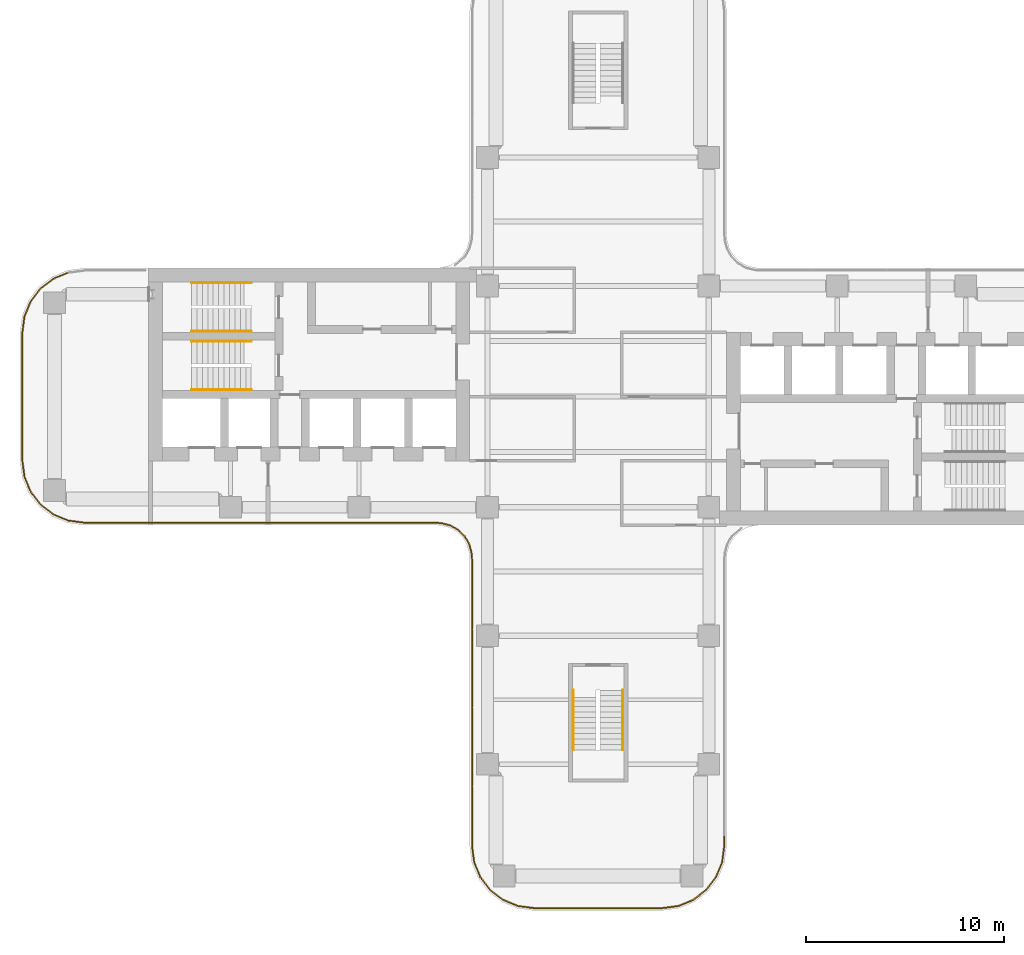
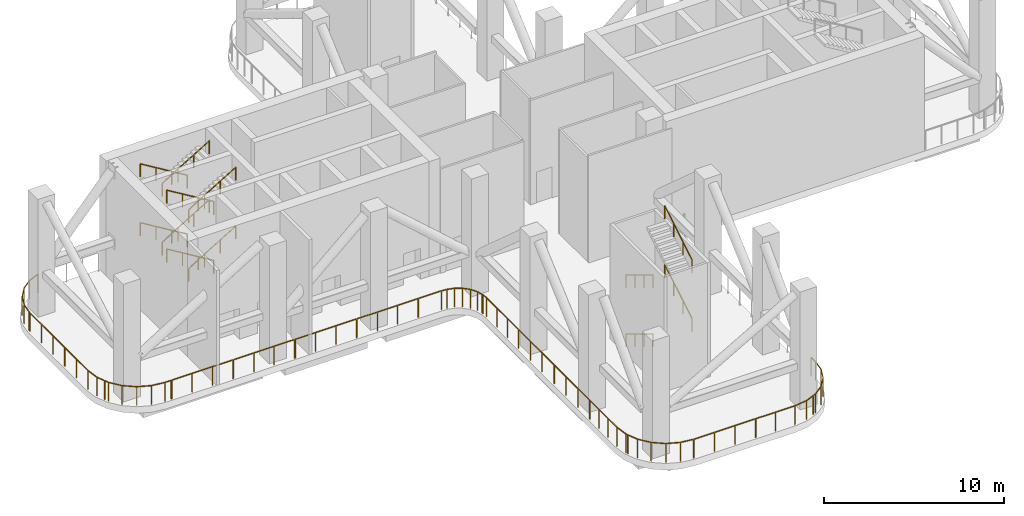
# One storey, part 9 of 11: 29 railings.
"""IFC4 building model written with IfcOpenShell, lengths in metres."""

from ifc_helpers import new_model, si_unit, direction, frame, origin, origin_2d, place, context, subcontext, project, spatial, rectangle, circle, extrude, source, transform, mapped, material, type_object, element, save


model = new_model("IFC4")

# Units and contexts
model_context = context("Model", 3, precision=1e-05, world=origin(), true_north=direction((0.0, 1.0)))
body_context = subcontext(model_context, "Body", "Model", "MODEL_VIEW")
ifc_project = project(units=[si_unit("LENGTHUNIT", "METRE"), si_unit("AREAUNIT", "SQUARE_METRE"), si_unit("VOLUMEUNIT", "CUBIC_METRE"), si_unit("PLANEANGLEUNIT", "RADIAN"), si_unit("MASSUNIT", "GRAM", prefix="KILO")], contexts=[model_context])

# Site, building, storey
site_placement = place(None, origin())
site = spatial("IfcSite", under=ifc_project, at=site_placement, CompositionType="ELEMENT")
building_placement = place(site_placement, origin())
building = spatial("IfcBuilding", under=site, at=building_placement, Name="Trellis Farm Tower", CompositionType="ELEMENT")
storey_placement = place(building_placement, frame((0.0, 0.0, 212.699951171875)))
storey = spatial("IfcBuildingStorey", under=building, at=storey_placement, Name="L47", CompositionType="ELEMENT", Elevation=212.699951171875)

# Railings
ifc_material_1 = material(Name="Stainless steel 316", Category="steel")
railing_type_1 = type_object("IfcRailingType", Name="BALUSTRADE GUARD 1300", PredefinedType="GUARDRAIL", material=ifc_material_1)
railing_1_placement = place(storey_placement, frame((6.3798828125, -22.2666015625, 0.0)))
element("IfcRailing", 1, at=railing_1_placement, inside=storey, type_object=railing_type_1, Name="GD3 EDGE-26", PredefinedType="GUARDRAIL", context=body_context, shape_type="SweptSolid", body=[
    extrude(rectangle(XDim=0.050048828125, YDim=0.050048828125, at=origin_2d()), frame((0.0, 0.0, 1.27490234375), z_axis=(0.0, -1.0, 0.0), x_axis=(1.0, 0.0, 0.0)), (0.0, 0.0, 1.0), 0.4755859375),
    extrude(rectangle(XDim=0.050048828125, YDim=0.050048828125, at=origin_2d()), frame((0.0, -0.4755859375, 1.27490234375), z_axis=(-0.130554065513, -0.991441191387, 0.0), x_axis=(0.991441191387, -0.130554065513, 0.0)), (0.0, 0.0, 1.0), 0.82470703125),
    extrude(rectangle(XDim=0.050048828125, YDim=0.050048828125, at=origin_2d()), frame((-0.107666015625, -1.293212890625, 1.27490234375), z_axis=(-0.382598185958, -0.923914838122, 0.0), x_axis=(0.923914838122, -0.382598185958, 0.0)), (0.0, 0.0, 1.0), 0.81689453125),
    extrude(rectangle(XDim=0.050048828125, YDim=0.050048828125, at=origin_2d()), frame((-0.420166015625, -2.0478515625, 1.27490234375), z_axis=(-0.608858156099, -0.793279109615, 0.0), x_axis=(0.793279109615, -0.608858156099, 0.0)), (0.0, 0.0, 1.0), 0.81689453125),
    extrude(rectangle(XDim=0.050048828125, YDim=0.050048828125, at=origin_2d()), frame((-0.91748046875, -2.69580078125, 1.27490234375), z_axis=(-0.793279109615, -0.608858156099, 0.0), x_axis=(0.608858156099, -0.793279109615, 0.0)), (0.0, 0.0, 1.0), 0.81689453125),
    extrude(rectangle(XDim=0.050048828125, YDim=0.050048828125, at=origin_2d()), frame((-1.5654296875, -3.193115234375, 1.27490234375), z_axis=(-0.923948286543, -0.382517403257, 0.0), x_axis=(0.382517403257, -0.923948286543, 0.0)), (0.0, 0.0, 1.0), 0.173583984375),
    extrude(rectangle(XDim=0.0400390625, YDim=0.0400390625, at=origin_2d()), origin(), (0.0, 0.0, 1.0), 1.25),
    extrude(rectangle(XDim=0.0400390625, YDim=0.0400390625, at=origin_2d()), frame((0.0, -0.4755859375, 0.0)), (0.0, 0.0, 1.0), 1.25),
    extrude(rectangle(XDim=0.0400390625, YDim=0.0400390625, at=origin_2d()), frame((-0.107666015625, -1.293212890625, 0.0)), (0.0, 0.0, 1.0), 1.25),
    extrude(rectangle(XDim=0.0400390625, YDim=0.0400390625, at=origin_2d()), frame((-0.420166015625, -2.0478515625, 0.0)), (0.0, 0.0, 1.0), 1.25),
    extrude(rectangle(XDim=0.0400390625, YDim=0.0400390625, at=origin_2d()), frame((-0.91748046875, -2.69580078125, 0.0)), (0.0, 0.0, 1.0), 1.25),
    extrude(rectangle(XDim=0.0400390625, YDim=0.0400390625, at=origin_2d()), frame((-1.5654296875, -3.193115234375, 0.0)), (0.0, 0.0, 1.0), 1.25),
    extrude(rectangle(XDim=0.0400390625, YDim=0.0400390625, at=origin_2d()), frame((-1.725830078125, -3.259521484375, 0.0)), (0.0, 0.0, 1.0), 1.25),
])
railing_2_placement = place(storey_placement, frame((4.612548828125, -25.54345703125, 0.0)))
element("IfcRailing", 2, at=railing_2_placement, inside=storey, type_object=railing_type_1, Name="GD3 EDGE-27", PredefinedType="GUARDRAIL", context=body_context, shape_type="SweptSolid", body=[
    extrude(rectangle(XDim=0.050048828125, YDim=0.050048828125, at=origin_2d()), frame((0.0, 0.0, 1.27490234375), z_axis=(-0.923991970144, -0.382411871036, 0.0), x_axis=(0.382411871036, -0.923991970144, 0.0)), (0.0, 0.0, 1.0), 0.59814453125),
    extrude(rectangle(XDim=0.050048828125, YDim=0.050048828125, at=origin_2d()), frame((-0.552734375, -0.228759765625, 1.27490234375), z_axis=(-0.991441191387, -0.130554065513, 0.0), x_axis=(0.130554065513, -0.991441191387, 0.0)), (0.0, 0.0, 1.0), 0.82470703125),
    extrude(rectangle(XDim=0.050048828125, YDim=0.050048828125, at=origin_2d()), frame((-1.370361328125, -0.33642578125, 1.27490234375), z_axis=(-1.0, 0.0, 0.0), x_axis=(0.0, -1.0, 0.0)), (0.0, 0.0, 1.0), 2.50146484375),
    extrude(rectangle(XDim=0.0400390625, YDim=0.0400390625, at=origin_2d()), origin(), (0.0, 0.0, 1.0), 1.25),
    extrude(rectangle(XDim=0.0400390625, YDim=0.0400390625, at=origin_2d()), frame((-0.552734375, -0.228759765625, 0.0)), (0.0, 0.0, 1.0), 1.25),
    extrude(rectangle(XDim=0.0400390625, YDim=0.0400390625, at=origin_2d()), frame((-1.370361328125, -0.33642578125, 0.0)), (0.0, 0.0, 1.0), 1.25),
    extrude(rectangle(XDim=0.0400390625, YDim=0.0400390625, at=origin_2d()), frame((-2.62109375, -0.33642578125, 0.0)), (0.0, 0.0, 1.0), 1.25),
    extrude(rectangle(XDim=0.0400390625, YDim=0.0400390625, at=origin_2d()), frame((-3.871826171875, -0.33642578125, 0.0)), (0.0, 0.0, 1.0), 1.25),
])
railing_3_placement = place(storey_placement, frame((-3.273193359375, -25.8759765625, 0.0)))
element("IfcRailing", 3, at=railing_3_placement, inside=storey, type_object=railing_type_1, Name="GD3 EDGE-29", PredefinedType="GUARDRAIL", context=body_context, shape_type="SweptSolid", body=[
    extrude(rectangle(XDim=0.050048828125, YDim=0.050048828125, at=origin_2d()), frame((0.0, 0.0, 1.27490234375), z_axis=(-0.991412351853, 0.130772889366, 0.0), x_axis=(-0.130772889366, -0.991412351853, 0.0)), (0.0, 0.0, 1.0), 0.79345703125),
    extrude(rectangle(XDim=0.050048828125, YDim=0.050048828125, at=origin_2d()), frame((-0.78662109375, 0.103759765625, 1.27490234375), z_axis=(-0.923914838122, 0.382598185958, 0.0), x_axis=(-0.382598185958, -0.923914838122, 0.0)), (0.0, 0.0, 1.0), 0.81689453125),
    extrude(rectangle(XDim=0.050048828125, YDim=0.050048828125, at=origin_2d()), frame((-1.541259765625, 0.416259765625, 1.27490234375), z_axis=(-0.793279109615, 0.608858156099, 0.0), x_axis=(-0.608858156099, -0.793279109615, 0.0)), (0.0, 0.0, 1.0), 0.81689453125),
    extrude(rectangle(XDim=0.050048828125, YDim=0.050048828125, at=origin_2d()), frame((-2.189208984375, 0.91357421875, 1.27490234375), z_axis=(-0.608858156099, 0.793279109615, 0.0), x_axis=(-0.793279109615, -0.608858156099, 0.0)), (0.0, 0.0, 1.0), 0.81689453125),
    extrude(rectangle(XDim=0.050048828125, YDim=0.050048828125, at=origin_2d()), frame((-2.6865234375, 1.5615234375, 1.27490234375), z_axis=(-0.382805943759, 0.923828777113, 0.0), x_axis=(-0.923828777113, -0.382805943759, 0.0)), (0.0, 0.0, 1.0), 0.680419921875),
    extrude(rectangle(XDim=0.0400390625, YDim=0.0400390625, at=origin_2d()), origin(), (0.0, 0.0, 1.0), 1.25),
    extrude(rectangle(XDim=0.0400390625, YDim=0.0400390625, at=origin_2d()), frame((-0.78662109375, 0.103759765625, 0.0)), (0.0, 0.0, 1.0), 1.25),
    extrude(rectangle(XDim=0.0400390625, YDim=0.0400390625, at=origin_2d()), frame((-1.541259765625, 0.416259765625, 0.0)), (0.0, 0.0, 1.0), 1.25),
    extrude(rectangle(XDim=0.0400390625, YDim=0.0400390625, at=origin_2d()), frame((-2.189208984375, 0.91357421875, 0.0)), (0.0, 0.0, 1.0), 1.25),
    extrude(rectangle(XDim=0.0400390625, YDim=0.0400390625, at=origin_2d()), frame((-2.6865234375, 1.5615234375, 0.0)), (0.0, 0.0, 1.0), 1.25),
    extrude(rectangle(XDim=0.0400390625, YDim=0.0400390625, at=origin_2d()), frame((-2.947021484375, 2.190185546875, 0.0)), (0.0, 0.0, 1.0), 1.25),
])
railing_4_placement = place(storey_placement, frame((-6.2373046875, -23.644287109375, 0.0)))
element("IfcRailing", 4, at=railing_4_placement, inside=storey, type_object=railing_type_1, Name="GD3 EDGE-30", PredefinedType="GUARDRAIL", context=body_context, shape_type="SweptSolid", body=[
    extrude(rectangle(XDim=0.050048828125, YDim=0.050048828125, at=origin_2d()), frame((0.0, 0.0, 1.27490234375), z_axis=(-0.381958559492, 0.924179451638, 0.0), x_axis=(-0.924179451638, -0.381958559492, 0.0)), (0.0, 0.0, 1.0), 0.09130859375),
    extrude(rectangle(XDim=0.050048828125, YDim=0.050048828125, at=origin_2d()), frame((-0.034912109375, 0.08447265625, 1.27490234375), z_axis=(-0.130554065513, 0.991441191387, 0.0), x_axis=(-0.991441191387, -0.130554065513, 0.0)), (0.0, 0.0, 1.0), 0.82470703125),
    extrude(rectangle(XDim=0.050048828125, YDim=0.050048828125, at=origin_2d()), frame((-0.142578125, 0.902099609375, 1.27490234375), z_axis=(0.0, 1.0, 0.0), x_axis=(-1.0, 0.0, 0.0)), (0.0, 0.0, 1.0), 3.00830078125),
    extrude(rectangle(XDim=0.0400390625, YDim=0.0400390625, at=origin_2d()), origin(), (0.0, 0.0, 1.0), 1.25),
    extrude(rectangle(XDim=0.0400390625, YDim=0.0400390625, at=origin_2d()), frame((-0.034912109375, 0.08447265625, 0.0)), (0.0, 0.0, 1.0), 1.25),
    extrude(rectangle(XDim=0.0400390625, YDim=0.0400390625, at=origin_2d()), frame((-0.142578125, 0.902099609375, 0.0)), (0.0, 0.0, 1.0), 1.25),
    extrude(rectangle(XDim=0.0400390625, YDim=0.0400390625, at=origin_2d()), frame((-0.142578125, 1.90478515625, 0.0)), (0.0, 0.0, 1.0), 1.25),
    extrude(rectangle(XDim=0.0400390625, YDim=0.0400390625, at=origin_2d()), frame((-0.142578125, 2.90771484375, 0.0)), (0.0, 0.0, 1.0), 1.25),
    extrude(rectangle(XDim=0.0400390625, YDim=0.0400390625, at=origin_2d()), frame((-0.142578125, 3.910400390625, 0.0)), (0.0, 0.0, 1.0), 1.25),
])
railing_5_placement = place(storey_placement, frame((-6.3798828125, -19.68896484375, 0.0)))
element("IfcRailing", 5, at=railing_5_placement, inside=storey, type_object=railing_type_1, Name="GD3 EDGE-31", PredefinedType="GUARDRAIL", context=body_context, shape_type="SweptSolid", body=[
    extrude(rectangle(XDim=0.050048828125, YDim=0.050048828125, at=origin_2d()), frame((0.0, 0.0, 1.27490234375), z_axis=(0.0, 1.0, 0.0), x_axis=(-1.0, 0.0, 0.0)), (0.0, 0.0, 1.0), 3.92431640625),
    extrude(rectangle(XDim=0.0400390625, YDim=0.0400390625, at=origin_2d()), origin(), (0.0, 0.0, 1.0), 1.25),
    extrude(rectangle(XDim=0.0400390625, YDim=0.0400390625, at=origin_2d()), frame((0.0, 1.30810546875, 0.0)), (0.0, 0.0, 1.0), 1.25),
    extrude(rectangle(XDim=0.0400390625, YDim=0.0400390625, at=origin_2d()), frame((0.0, 2.6162109375, 0.0)), (0.0, 0.0, 1.0), 1.25),
    extrude(rectangle(XDim=0.0400390625, YDim=0.0400390625, at=origin_2d()), frame((0.0, 3.92431640625, 0.0)), (0.0, 0.0, 1.0), 1.25),
])
railing_6_placement = place(storey_placement, frame((-6.3798828125, -15.719482421875, 0.0)))
element("IfcRailing", 6, at=railing_6_placement, inside=storey, type_object=railing_type_1, Name="GD3 EDGE-32", PredefinedType="GUARDRAIL", context=body_context, shape_type="SweptSolid", body=[
    extrude(rectangle(XDim=0.050048828125, YDim=0.050048828125, at=origin_2d()), frame((0.0, 0.0, 1.27490234375), z_axis=(0.0, 1.0, 0.0), x_axis=(-1.0, 0.0, 0.0)), (0.0, 0.0, 1.0), 3.924072265625),
    extrude(rectangle(XDim=0.0400390625, YDim=0.0400390625, at=origin_2d()), origin(), (0.0, 0.0, 1.0), 1.25),
    extrude(rectangle(XDim=0.0400390625, YDim=0.0400390625, at=origin_2d()), frame((0.0, 1.30810546875, 0.0)), (0.0, 0.0, 1.0), 1.25),
    extrude(rectangle(XDim=0.0400390625, YDim=0.0400390625, at=origin_2d()), frame((0.0, 2.615966796875, 0.0)), (0.0, 0.0, 1.0), 1.25),
    extrude(rectangle(XDim=0.0400390625, YDim=0.0400390625, at=origin_2d()), frame((0.0, 3.924072265625, 0.0)), (0.0, 0.0, 1.0), 1.25),
])
railing_7_placement = place(storey_placement, frame((-6.3798828125, -11.750244140625, 0.0)))
element("IfcRailing", 7, at=railing_7_placement, inside=storey, type_object=railing_type_1, Name="GD3 EDGE-33", PredefinedType="GUARDRAIL", context=body_context, shape_type="SweptSolid", body=[
    extrude(rectangle(XDim=0.050048828125, YDim=0.050048828125, at=origin_2d()), frame((0.0, 0.0, 1.27490234375), z_axis=(0.0, 1.0, 0.0), x_axis=(-1.0, 0.0, 0.0)), (0.0, 0.0, 1.0), 3.522705078125),
    extrude(rectangle(XDim=0.050048828125, YDim=0.050048828125, at=origin_2d()), frame((0.0, 3.522705078125, 1.27490234375), z_axis=(-0.088443887633, 0.99608116072, 0.0), x_axis=(-0.99608116072, -0.088443887633, 0.0)), (0.0, 0.0, 1.0), 0.336669921875),
    extrude(rectangle(XDim=0.050048828125, YDim=0.050048828125, at=origin_2d()), frame((-0.02978515625, 3.858154296875, 1.27490234375), z_axis=(-0.260243981728, 0.965542888729, 0.0), x_axis=(-0.965542888729, -0.260243981728, 0.0)), (0.0, 0.0, 1.0), 0.064697265625),
    extrude(rectangle(XDim=0.0400390625, YDim=0.0400390625, at=origin_2d()), origin(), (0.0, 0.0, 1.0), 1.25),
    extrude(rectangle(XDim=0.0400390625, YDim=0.0400390625, at=origin_2d()), frame((0.0, 1.17431640625, 0.0)), (0.0, 0.0, 1.0), 1.25),
    extrude(rectangle(XDim=0.0400390625, YDim=0.0400390625, at=origin_2d()), frame((0.0, 2.348388671875, 0.0)), (0.0, 0.0, 1.0), 1.25),
    extrude(rectangle(XDim=0.0400390625, YDim=0.0400390625, at=origin_2d()), frame((0.0, 3.522705078125, 0.0)), (0.0, 0.0, 1.0), 1.25),
    extrude(rectangle(XDim=0.0400390625, YDim=0.0400390625, at=origin_2d()), frame((-0.02978515625, 3.858154296875, 0.0)), (0.0, 0.0, 1.0), 1.25),
    extrude(rectangle(XDim=0.0400390625, YDim=0.0400390625, at=origin_2d()), frame((-0.046630859375, 3.920654296875, 0.0)), (0.0, 0.0, 1.0), 1.25),
])
railing_8_placement = place(storey_placement, frame((-6.43798828125, -7.785888671875, 0.0)))
element("IfcRailing", 8, at=railing_8_placement, inside=storey, type_object=railing_type_1, Name="GD3 EDGE-34", PredefinedType="GUARDRAIL", context=body_context, shape_type="SweptSolid", body=[
    extrude(rectangle(XDim=0.050048828125, YDim=0.050048828125, at=origin_2d()), frame((0.0, 0.0, 1.27490234375), z_axis=(-0.259294281161, 0.965798361853, 0.0), x_axis=(-0.965798361853, -0.259294281161, 0.0)), (0.0, 0.0, 1.0), 0.335205078125),
    extrude(rectangle(XDim=0.050048828125, YDim=0.050048828125, at=origin_2d()), frame((-0.0869140625, 0.32373046875, 1.27490234375), z_axis=(-0.499971721724, 0.866041729639, 0.0), x_axis=(-0.866041729639, -0.499971721724, 0.0)), (0.0, 0.0, 1.0), 0.4521484375),
    extrude(rectangle(XDim=0.050048828125, YDim=0.050048828125, at=origin_2d()), frame((-0.31298828125, 0.71533203125, 1.27490234375), z_axis=(-0.707106781187, 0.707106781187, 0.0), x_axis=(-0.707106781187, -0.707106781187, 0.0)), (0.0, 0.0, 1.0), 0.451904296875),
    extrude(rectangle(XDim=0.050048828125, YDim=0.050048828125, at=origin_2d()), frame((-0.632568359375, 1.034912109375, 1.27490234375), z_axis=(-0.866041729639, 0.499971721724, 0.0), x_axis=(-0.499971721724, -0.866041729639, 0.0)), (0.0, 0.0, 1.0), 0.4521484375),
    extrude(rectangle(XDim=0.050048828125, YDim=0.050048828125, at=origin_2d()), frame((-1.024169921875, 1.260986328125, 1.27490234375), z_axis=(-0.965906424252, 0.258891443638, 0.0), x_axis=(-0.258891443638, -0.965906424252, 0.0)), (0.0, 0.0, 1.0), 0.445068359375),
    extrude(rectangle(XDim=0.050048828125, YDim=0.050048828125, at=origin_2d()), frame((-1.4541015625, 1.376220703125, 1.27490234375), z_axis=(-0.99608116072, 0.088443887633, 0.0), x_axis=(-0.088443887633, -0.99608116072, 0.0)), (0.0, 0.0, 1.0), 0.336669921875),
    extrude(rectangle(XDim=0.050048828125, YDim=0.050048828125, at=origin_2d()), frame((-1.78955078125, 1.406005859375, 1.27490234375), z_axis=(-1.0, 0.0, 0.0), x_axis=(0.0, -1.0, 0.0)), (0.0, 0.0, 1.0), 1.45068359375),
    extrude(rectangle(XDim=0.0400390625, YDim=0.0400390625, at=origin_2d()), origin(), (0.0, 0.0, 1.0), 1.25),
    extrude(rectangle(XDim=0.0400390625, YDim=0.0400390625, at=origin_2d()), frame((-0.0869140625, 0.32373046875, 0.0)), (0.0, 0.0, 1.0), 1.25),
    extrude(rectangle(XDim=0.0400390625, YDim=0.0400390625, at=origin_2d()), frame((-0.31298828125, 0.71533203125, 0.0)), (0.0, 0.0, 1.0), 1.25),
    extrude(rectangle(XDim=0.0400390625, YDim=0.0400390625, at=origin_2d()), frame((-0.632568359375, 1.034912109375, 0.0)), (0.0, 0.0, 1.0), 1.25),
    extrude(rectangle(XDim=0.0400390625, YDim=0.0400390625, at=origin_2d()), frame((-1.024169921875, 1.260986328125, 0.0)), (0.0, 0.0, 1.0), 1.25),
    extrude(rectangle(XDim=0.0400390625, YDim=0.0400390625, at=origin_2d()), frame((-1.4541015625, 1.376220703125, 0.0)), (0.0, 0.0, 1.0), 1.25),
    extrude(rectangle(XDim=0.0400390625, YDim=0.0400390625, at=origin_2d()), frame((-1.78955078125, 1.406005859375, 0.0)), (0.0, 0.0, 1.0), 1.25),
    extrude(rectangle(XDim=0.0400390625, YDim=0.0400390625, at=origin_2d()), frame((-3.240234375, 1.406005859375, 0.0)), (0.0, 0.0, 1.0), 1.25),
])
railing_9_placement = place(storey_placement, frame((-21.631103515625, -6.3798828125, 0.0)))
element("IfcRailing", 9, at=railing_9_placement, inside=storey, type_object=railing_type_1, Name="GD3 EDGE-38", PredefinedType="GUARDRAIL", context=body_context, shape_type="SweptSolid", body=[
    extrude(rectangle(XDim=0.050048828125, YDim=0.050048828125, at=origin_2d()), frame((0.0, 0.0, 1.27490234375), z_axis=(-1.0, 0.0, 0.0), x_axis=(0.0, -1.0, 0.0)), (0.0, 0.0, 1.0), 3.924560546875),
    extrude(rectangle(XDim=0.0400390625, YDim=0.0400390625, at=origin_2d()), origin(), (0.0, 0.0, 1.0), 1.25),
    extrude(rectangle(XDim=0.0400390625, YDim=0.0400390625, at=origin_2d()), frame((-1.30810546875, 0.0, 0.0)), (0.0, 0.0, 1.0), 1.25),
    extrude(rectangle(XDim=0.0400390625, YDim=0.0400390625, at=origin_2d()), frame((-2.616455078125, 0.0, 0.0)), (0.0, 0.0, 1.0), 1.25),
    extrude(rectangle(XDim=0.0400390625, YDim=0.0400390625, at=origin_2d()), frame((-3.924560546875, 0.0, 0.0)), (0.0, 0.0, 1.0), 1.25),
])
railing_10_placement = place(storey_placement, frame((-25.6005859375, -6.3798828125, 0.0)))
element("IfcRailing", 10, at=railing_10_placement, inside=storey, type_object=railing_type_1, Name="GD3 EDGE-39", PredefinedType="GUARDRAIL", context=body_context, shape_type="SweptSolid", body=[
    extrude(rectangle(XDim=0.050048828125, YDim=0.050048828125, at=origin_2d()), frame((0.0, 0.0, 1.27490234375), z_axis=(-1.0, 0.0, 0.0), x_axis=(0.0, -1.0, 0.0)), (0.0, 0.0, 1.0), 0.3916015625),
    extrude(rectangle(XDim=0.050048828125, YDim=0.050048828125, at=origin_2d()), frame((-0.3916015625, 0.0, 1.27490234375), z_axis=(-0.991441191387, 0.130554065513, 0.0), x_axis=(-0.130554065513, -0.991441191387, 0.0)), (0.0, 0.0, 1.0), 0.82470703125),
    extrude(rectangle(XDim=0.050048828125, YDim=0.050048828125, at=origin_2d()), frame((-1.209228515625, 0.107666015625, 1.27490234375), z_axis=(-0.923914838122, 0.382598185958, 0.0), x_axis=(-0.382598185958, -0.923914838122, 0.0)), (0.0, 0.0, 1.0), 0.81689453125),
    extrude(rectangle(XDim=0.050048828125, YDim=0.050048828125, at=origin_2d()), frame((-1.9638671875, 0.420166015625, 1.27490234375), z_axis=(-0.793279109615, 0.608858156099, 0.0), x_axis=(-0.608858156099, -0.793279109615, 0.0)), (0.0, 0.0, 1.0), 0.81689453125),
    extrude(rectangle(XDim=0.050048828125, YDim=0.050048828125, at=origin_2d()), frame((-2.61181640625, 0.91748046875, 1.27490234375), z_axis=(-0.608858156099, 0.793279109615, 0.0), x_axis=(-0.793279109615, -0.608858156099, 0.0)), (0.0, 0.0, 1.0), 0.81689453125),
    extrude(rectangle(XDim=0.050048828125, YDim=0.050048828125, at=origin_2d()), frame((-3.109130859375, 1.5654296875, 1.27490234375), z_axis=(-0.383133442967, 0.923693003589, 0.0), x_axis=(-0.923693003589, -0.383133442967, 0.0)), (0.0, 0.0, 1.0), 0.25732421875),
    extrude(rectangle(XDim=0.0400390625, YDim=0.0400390625, at=origin_2d()), origin(), (0.0, 0.0, 1.0), 1.25),
    extrude(rectangle(XDim=0.0400390625, YDim=0.0400390625, at=origin_2d()), frame((-0.3916015625, 0.0, 0.0)), (0.0, 0.0, 1.0), 1.25),
    extrude(rectangle(XDim=0.0400390625, YDim=0.0400390625, at=origin_2d()), frame((-1.209228515625, 0.107666015625, 0.0)), (0.0, 0.0, 1.0), 1.25),
    extrude(rectangle(XDim=0.0400390625, YDim=0.0400390625, at=origin_2d()), frame((-1.9638671875, 0.420166015625, 0.0)), (0.0, 0.0, 1.0), 1.25),
    extrude(rectangle(XDim=0.0400390625, YDim=0.0400390625, at=origin_2d()), frame((-2.61181640625, 0.91748046875, 0.0)), (0.0, 0.0, 1.0), 1.25),
    extrude(rectangle(XDim=0.0400390625, YDim=0.0400390625, at=origin_2d()), frame((-3.109130859375, 1.5654296875, 0.0)), (0.0, 0.0, 1.0), 1.25),
    extrude(rectangle(XDim=0.0400390625, YDim=0.0400390625, at=origin_2d()), frame((-3.207763671875, 1.80322265625, 0.0)), (0.0, 0.0, 1.0), 1.25),
])
railing_11_placement = place(storey_placement, frame((-28.825439453125, -4.534912109375, 0.0)))
element("IfcRailing", 11, at=railing_11_placement, inside=storey, type_object=railing_type_1, Name="GD3 EDGE-40", PredefinedType="GUARDRAIL", context=body_context, shape_type="SweptSolid", body=[
    extrude(rectangle(XDim=0.050048828125, YDim=0.050048828125, at=origin_2d()), frame((0.0, 0.0, 1.27490234375), z_axis=(-0.382659283264, 0.923889535027, 0.0), x_axis=(-0.923889535027, -0.382659283264, 0.0)), (0.0, 0.0, 1.0), 0.51416015625),
    extrude(rectangle(XDim=0.050048828125, YDim=0.050048828125, at=origin_2d()), frame((-0.19677734375, 0.47509765625, 1.27490234375), z_axis=(-0.130554065513, 0.991441191387, 0.0), x_axis=(-0.991441191387, -0.130554065513, 0.0)), (0.0, 0.0, 1.0), 0.82470703125),
    extrude(rectangle(XDim=0.050048828125, YDim=0.050048828125, at=origin_2d()), frame((-0.304443359375, 1.292724609375, 1.27490234375), z_axis=(0.0, 1.0, 0.0), x_axis=(-1.0, 0.0, 0.0)), (0.0, 0.0, 1.0), 2.585205078125),
    extrude(rectangle(XDim=0.0400390625, YDim=0.0400390625, at=origin_2d()), origin(), (0.0, 0.0, 1.0), 1.25),
    extrude(rectangle(XDim=0.0400390625, YDim=0.0400390625, at=origin_2d()), frame((-0.19677734375, 0.47509765625, 0.0)), (0.0, 0.0, 1.0), 1.25),
    extrude(rectangle(XDim=0.0400390625, YDim=0.0400390625, at=origin_2d()), frame((-0.304443359375, 1.292724609375, 0.0)), (0.0, 0.0, 1.0), 1.25),
    extrude(rectangle(XDim=0.0400390625, YDim=0.0400390625, at=origin_2d()), frame((-0.304443359375, 2.58544921875, 0.0)), (0.0, 0.0, 1.0), 1.25),
    extrude(rectangle(XDim=0.0400390625, YDim=0.0400390625, at=origin_2d()), frame((-0.304443359375, 3.8779296875, 0.0)), (0.0, 0.0, 1.0), 1.25),
])
railing_12_placement = place(storey_placement, frame((-29.1298828125, -0.61181640625, 0.0)))
element("IfcRailing", 12, at=railing_12_placement, inside=storey, type_object=railing_type_1, Name="GD3 EDGE-41", PredefinedType="GUARDRAIL", context=body_context, shape_type="SweptSolid", body=[
    extrude(rectangle(XDim=0.050048828125, YDim=0.050048828125, at=origin_2d()), frame((0.0, 0.0, 1.27490234375), z_axis=(0.0, 1.0, 0.0), x_axis=(-1.0, 0.0, 0.0)), (0.0, 0.0, 1.0), 3.85400390625),
    extrude(rectangle(XDim=0.050048828125, YDim=0.050048828125, at=origin_2d()), frame((0.0, 3.85400390625, 1.27490234375), z_axis=(0.128744141141, 0.99167784392, 0.0), x_axis=(-0.99167784392, 0.128744141141, 0.0)), (0.0, 0.0, 1.0), 0.070068359375),
    extrude(rectangle(XDim=0.0400390625, YDim=0.0400390625, at=origin_2d()), origin(), (0.0, 0.0, 1.0), 1.25),
    extrude(rectangle(XDim=0.0400390625, YDim=0.0400390625, at=origin_2d()), frame((0.0, 1.28466796875, 0.0)), (0.0, 0.0, 1.0), 1.25),
    extrude(rectangle(XDim=0.0400390625, YDim=0.0400390625, at=origin_2d()), frame((0.0, 2.5693359375, 0.0)), (0.0, 0.0, 1.0), 1.25),
    extrude(rectangle(XDim=0.0400390625, YDim=0.0400390625, at=origin_2d()), frame((0.0, 3.85400390625, 0.0)), (0.0, 0.0, 1.0), 1.25),
    extrude(rectangle(XDim=0.0400390625, YDim=0.0400390625, at=origin_2d()), frame((0.009033203125, 3.923583984375, 0.0)), (0.0, 0.0, 1.0), 1.25),
])
railing_13_placement = place(storey_placement, frame((-29.114990234375, 3.3564453125, 0.0)))
element("IfcRailing", 13, at=railing_13_placement, inside=storey, type_object=railing_type_1, Name="GD3 EDGE-42", PredefinedType="GUARDRAIL", context=body_context, shape_type="SweptSolid", body=[
    extrude(rectangle(XDim=0.050048828125, YDim=0.050048828125, at=origin_2d()), frame((0.0, 0.0, 1.27490234375), z_axis=(0.130766065851, 0.991413251889, 0.0), x_axis=(-0.991413251889, 0.130766065851, 0.0)), (0.0, 0.0, 1.0), 0.70947265625),
    extrude(rectangle(XDim=0.050048828125, YDim=0.050048828125, at=origin_2d()), frame((0.0927734375, 0.703369140625, 1.27490234375), z_axis=(0.382598185958, 0.923914838122, 0.0), x_axis=(-0.923914838122, 0.382598185958, 0.0)), (0.0, 0.0, 1.0), 0.81689453125),
    extrude(rectangle(XDim=0.050048828125, YDim=0.050048828125, at=origin_2d()), frame((0.4052734375, 1.4580078125, 1.27490234375), z_axis=(0.608858156099, 0.793279109615, 0.0), x_axis=(-0.793279109615, 0.608858156099, 0.0)), (0.0, 0.0, 1.0), 0.81689453125),
    extrude(rectangle(XDim=0.050048828125, YDim=0.050048828125, at=origin_2d()), frame((0.902587890625, 2.10595703125, 1.27490234375), z_axis=(0.793279109615, 0.608858156099, 0.0), x_axis=(-0.608858156099, 0.793279109615, 0.0)), (0.0, 0.0, 1.0), 0.81689453125),
    extrude(rectangle(XDim=0.050048828125, YDim=0.050048828125, at=origin_2d()), frame((1.550537109375, 2.603271484375, 1.27490234375), z_axis=(0.923868872672, 0.38270916648, 0.0), x_axis=(-0.38270916648, 0.923868872672, 0.0)), (0.0, 0.0, 1.0), 0.76416015625),
    extrude(rectangle(XDim=0.0400390625, YDim=0.0400390625, at=origin_2d()), origin(), (0.0, 0.0, 1.0), 1.25),
    extrude(rectangle(XDim=0.0400390625, YDim=0.0400390625, at=origin_2d()), frame((0.0927734375, 0.703369140625, 0.0)), (0.0, 0.0, 1.0), 1.25),
    extrude(rectangle(XDim=0.0400390625, YDim=0.0400390625, at=origin_2d()), frame((0.4052734375, 1.4580078125, 0.0)), (0.0, 0.0, 1.0), 1.25),
    extrude(rectangle(XDim=0.0400390625, YDim=0.0400390625, at=origin_2d()), frame((0.902587890625, 2.10595703125, 0.0)), (0.0, 0.0, 1.0), 1.25),
    extrude(rectangle(XDim=0.0400390625, YDim=0.0400390625, at=origin_2d()), frame((1.550537109375, 2.603271484375, 0.0)), (0.0, 0.0, 1.0), 1.25),
    extrude(rectangle(XDim=0.0400390625, YDim=0.0400390625, at=origin_2d()), frame((2.256591796875, 2.895751953125, 0.0)), (0.0, 0.0, 1.0), 1.25),
])
ifc_material_2 = material(Name="Stainless steel", Category="steel")
railing_type_2 = type_object("IfcRailingType", Name="STAIR HANDRAIL 900", PredefinedType="HANDRAIL", material=ifc_material_2)
shared_shape_1 = source(origin(), body_context, "Body", "SweptSolid", [
    extrude(circle(Radius=0.02392578125, at=origin_2d()), frame((0.0, 0.0, 0.8759765625), z_axis=(0.0, 0.855200612876, 0.518297126884), x_axis=(-1.0, 0.0, 0.0)), (0.0, 0.0, 1.0), 3.537109375),
    extrude(circle(Radius=0.02099609375, at=origin_2d()), origin(), (0.0, 0.0, 1.0), 0.851806640625),
    extrude(circle(Radius=0.02099609375, at=origin_2d()), frame((0.0, 1.00830078125, 0.611083984375)), (0.0, 0.0, 1.0), 0.851806640625),
    extrude(circle(Radius=0.02099609375, at=origin_2d()), frame((0.0, 2.0166015625, 1.22216796875)), (0.0, 0.0, 1.0), 0.851806640625),
    extrude(circle(Radius=0.02099609375, at=origin_2d()), frame((0.0, 3.02490234375, 1.833251953125)), (0.0, 0.0, 1.0), 0.851806640625),
])
for number, where, name in (
    (14, (1.25, -17.875, 2.166748046875), "Stair handrail"),
    (15, (1.25, -17.875, 6.166748046875), "Stair handrail"),
):
    element("IfcRailing", number, at=place(storey_placement, frame(where)), inside=storey, type_object=railing_type_2, Name=name, PredefinedType="HANDRAIL", context=body_context, shape_type="MappedRepresentation", body=[
        mapped(shared_shape_1, transform((0.0, 0.0, 0.0))),
    ])
shared_shape_2 = source(origin(), body_context, "Body", "SweptSolid", [
    extrude(circle(Radius=0.02392578125, at=origin_2d()), frame((0.0, 0.0, 0.8759765625), z_axis=(0.0, -0.855200612876, 0.518297126884), x_axis=(1.0, 0.0, 0.0)), (0.0, 0.0, 1.0), 3.537109375),
    extrude(circle(Radius=0.02099609375, at=origin_2d()), origin(), (0.0, 0.0, 1.0), 0.851806640625),
    extrude(circle(Radius=0.02099609375, at=origin_2d()), frame((0.0, -1.00830078125, 0.611083984375)), (0.0, 0.0, 1.0), 0.851806640625),
    extrude(circle(Radius=0.02099609375, at=origin_2d()), frame((0.0, -2.0166015625, 1.22216796875)), (0.0, 0.0, 1.0), 0.851806640625),
    extrude(circle(Radius=0.02099609375, at=origin_2d()), frame((0.0, -3.02490234375, 1.833251953125)), (0.0, 0.0, 1.0), 0.851806640625),
])
for number, where, name in (
    (16, (-1.25, -14.85009765625, 0.166748046875), "Stair handrail"),
    (17, (-1.25, -14.85009765625, 4.166748046875), "Stair handrail"),
):
    element("IfcRailing", number, at=place(storey_placement, frame(where)), inside=storey, type_object=railing_type_2, Name=name, PredefinedType="HANDRAIL", context=body_context, shape_type="MappedRepresentation", body=[
        mapped(shared_shape_2, transform((0.0, 0.0, 0.0))),
    ])
shared_shape_3 = source(origin(), body_context, "Body", "SweptSolid", [
    extrude(circle(Radius=0.02392578125, at=origin_2d()), frame((0.0, 0.0, 0.8759765625), z_axis=(0.855200612876, 0.0, 0.518297126884), x_axis=(0.0, 1.0, 0.0)), (0.0, 0.0, 1.0), 3.537109375),
    extrude(circle(Radius=0.02099609375, at=origin_2d()), origin(), (0.0, 0.0, 1.0), 0.851806640625),
    extrude(circle(Radius=0.02099609375, at=origin_2d()), frame((1.00830078125, 0.0, 0.611083984375)), (0.0, 0.0, 1.0), 0.851806640625),
    extrude(circle(Radius=0.02099609375, at=origin_2d()), frame((2.0166015625, 0.0, 1.22216796875)), (0.0, 0.0, 1.0), 0.851806640625),
    extrude(circle(Radius=0.02099609375, at=origin_2d()), frame((3.02490234375, 0.0, 1.833251953125)), (0.0, 0.0, 1.0), 0.851806640625),
])
for number, where, name in (
    (18, (-20.574951171875, 3.300048828125, 2.166748046875), "Stair handrail"),
    (19, (-20.574951171875, 3.300048828125, 6.166748046875), "Stair handrail"),
    (20, (-20.574951171875, 0.35009765625, 2.166748046875), "Stair handrail"),
    (21, (-20.574951171875, 0.35009765625, 6.166748046875), "Stair handrail"),
):
    element("IfcRailing", number, at=place(storey_placement, frame(where)), inside=storey, type_object=railing_type_2, Name=name, PredefinedType="HANDRAIL", context=body_context, shape_type="MappedRepresentation", body=[
        mapped(shared_shape_3, transform((0.0, 0.0, 0.0))),
    ])
shared_shape_4 = source(origin(), body_context, "Body", "SweptSolid", [
    extrude(circle(Radius=0.02392578125, at=origin_2d()), frame((0.0, 0.0, 0.8759765625), z_axis=(-0.855200612876, 0.0, 0.518297126884), x_axis=(0.0, -1.0, 0.0)), (0.0, 0.0, 1.0), 3.537109375),
    extrude(circle(Radius=0.02099609375, at=origin_2d()), origin(), (0.0, 0.0, 1.0), 0.851806640625),
    extrude(circle(Radius=0.02099609375, at=origin_2d()), frame((-1.00830078125, 0.0, 0.611083984375)), (0.0, 0.0, 1.0), 0.851806640625),
    extrude(circle(Radius=0.02099609375, at=origin_2d()), frame((-2.0166015625, 0.0, 1.22216796875)), (0.0, 0.0, 1.0), 0.851806640625),
    extrude(circle(Radius=0.02099609375, at=origin_2d()), frame((-3.02490234375, 0.0, 1.833251953125)), (0.0, 0.0, 1.0), 0.851806640625),
])
for number, where, name in (
    (22, (-17.550048828125, 5.75, 0.166748046875), "Stair handrail"),
    (23, (-17.550048828125, 5.75, 4.166748046875), "Stair handrail"),
    (24, (-17.550048828125, 2.800048828125, 0.166748046875), "Stair handrail"),
    (25, (-17.550048828125, 2.800048828125, 4.166748046875), "Stair handrail"),
):
    element("IfcRailing", number, at=place(storey_placement, frame(where)), inside=storey, type_object=railing_type_2, Name=name, PredefinedType="HANDRAIL", context=body_context, shape_type="MappedRepresentation", body=[
        mapped(shared_shape_4, transform((0.0, 0.0, 0.0))),
    ])
shared_shape_5 = source(origin(), body_context, "Body", "SweptSolid", [
    extrude(rectangle(XDim=0.050048828125, YDim=0.050048828125, at=origin_2d()), frame((0.0, 0.0, 1.27490234375), z_axis=(-1.0, 0.0, 0.0), x_axis=(0.0, -1.0, 0.0)), (0.0, 0.0, 1.0), 3.92431640625),
    extrude(rectangle(XDim=0.0400390625, YDim=0.0400390625, at=origin_2d()), origin(), (0.0, 0.0, 1.0), 1.25),
    extrude(rectangle(XDim=0.0400390625, YDim=0.0400390625, at=origin_2d()), frame((-1.30810546875, 0.0, 0.0)), (0.0, 0.0, 1.0), 1.25),
    extrude(rectangle(XDim=0.0400390625, YDim=0.0400390625, at=origin_2d()), frame((-2.6162109375, 0.0, 0.0)), (0.0, 0.0, 1.0), 1.25),
    extrude(rectangle(XDim=0.0400390625, YDim=0.0400390625, at=origin_2d()), frame((-3.92431640625, 0.0, 0.0)), (0.0, 0.0, 1.0), 1.25),
])
for number, where, name in (
    (26, (0.69580078125, -25.8798828125, 0.0), "GD3 EDGE-28"),
    (27, (-9.723388671875, -6.3798828125, 0.0), "GD3 EDGE-35"),
    (28, (-13.692626953125, -6.3798828125, 0.0), "GD3 EDGE-36"),
    (29, (-17.661865234375, -6.3798828125, 0.0), "GD3 EDGE-37"),
):
    element("IfcRailing", number, at=place(storey_placement, frame(where)), inside=storey, type_object=railing_type_1, Name=name, PredefinedType="GUARDRAIL", context=body_context, shape_type="MappedRepresentation", body=[
        mapped(shared_shape_5, transform((0.0, 0.0, 0.0))),
    ])

save(model, "model.ifc")
